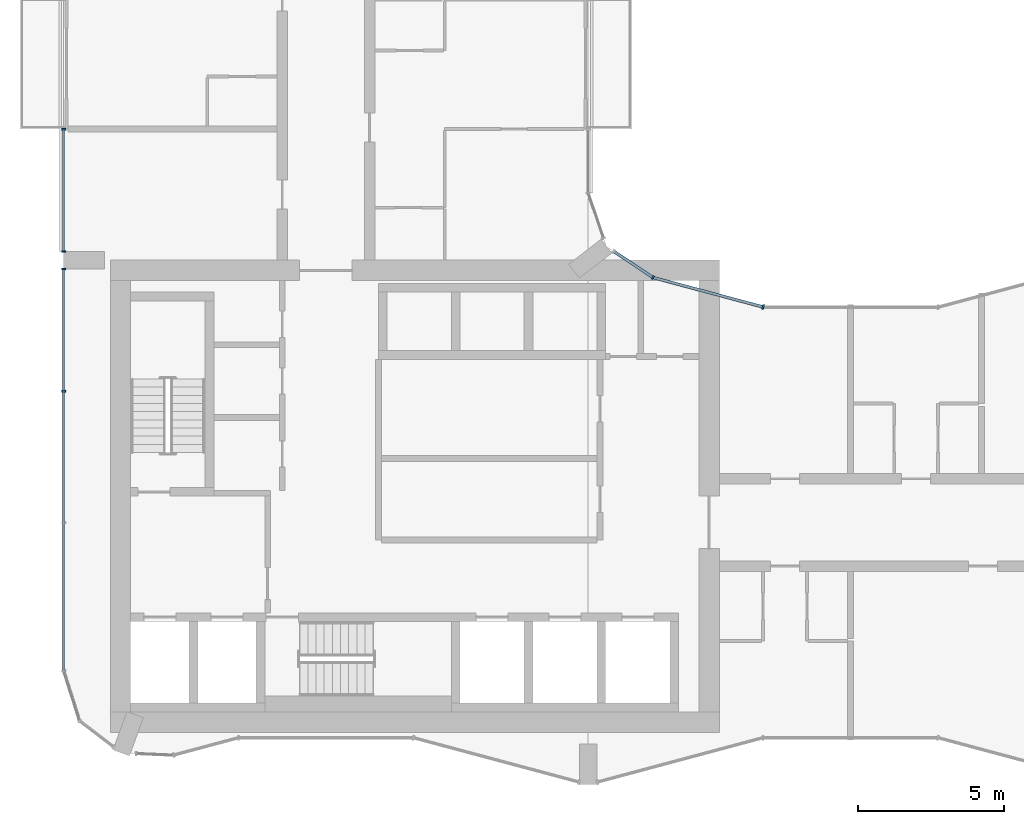
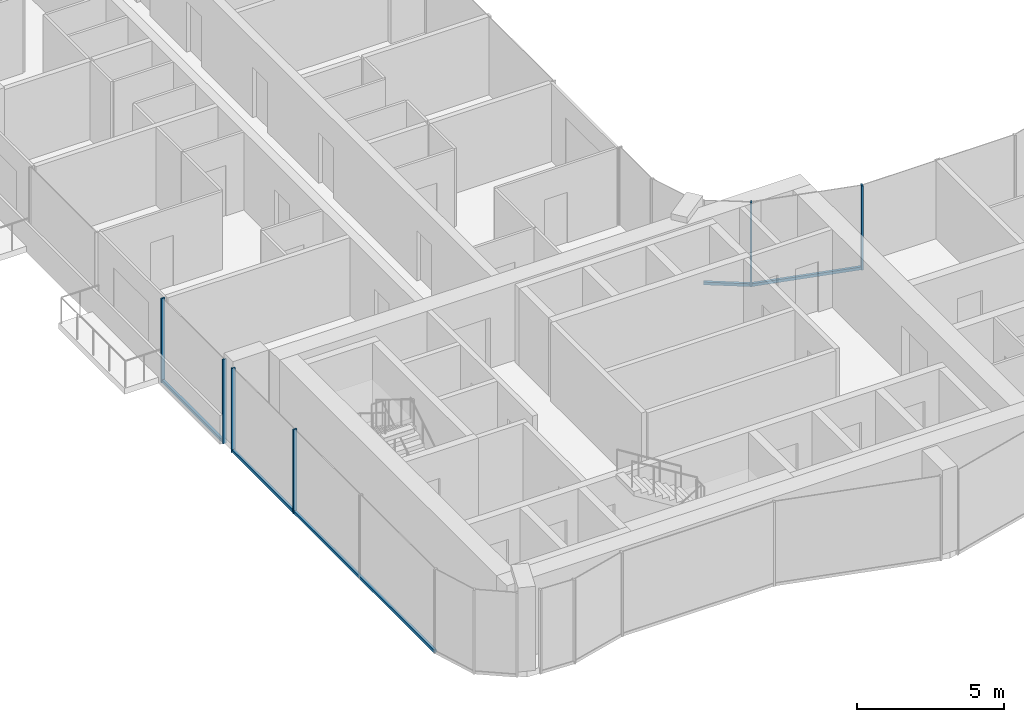
# One storey, part 3 of 22: 10 members, 4 elements without a shape of their own.
"""IFC4 building model written with IfcOpenShell, lengths in metres."""

from ifc_helpers import new_model, si_unit, direction, frame, origin, origin_2d, place, context, subcontext, project, spatial, rectangle, extrude, material, layer, layer_set, material_profile, profile_set, type_object, element, aggregate, save


model = new_model("IFC4")

# Units and contexts
model_context = context("Model", 3, precision=1e-05, world=origin(), true_north=direction((0.0, 1.0)))
body_context = subcontext(model_context, "Body", "Model", "MODEL_VIEW")
ifc_project = project(units=[si_unit("LENGTHUNIT", "METRE"), si_unit("AREAUNIT", "SQUARE_METRE"), si_unit("VOLUMEUNIT", "CUBIC_METRE"), si_unit("PLANEANGLEUNIT", "RADIAN"), si_unit("MASSUNIT", "GRAM", prefix="KILO")], contexts=[model_context])

# Site, building, storey
site_placement = place(None, origin())
site = spatial("IfcSite", under=ifc_project, at=site_placement, CompositionType="ELEMENT")
building_placement = place(site_placement, origin())
building = spatial("IfcBuilding", under=site, at=building_placement, Name="Plateau Cross Towers", CompositionType="ELEMENT")
storey_placement = place(building_placement, frame((0.0, 0.0, 61.800048828125)))
storey = spatial("IfcBuildingStorey", under=building, at=storey_placement, Name="L15", CompositionType="ELEMENT", Elevation=61.800048828125)

# Curtain wall, member
ifc_material_1 = material(Name="Dark low-iron glass", Category="glass")
ifc_layer_1 = layer(ifc_material_1, 0.239990234375)
ifc_layer_set_1 = layer_set([ifc_layer_1], Name="Dark low-iron glass")
curtain_wall_type_1 = type_object("IfcCurtainWallType", Name="Curtain wall flush unitised CW-B", PredefinedType="NOTDEFINED", material=ifc_layer_set_1)
curtain_wall_1_placement = place(storey_placement, origin())
curtain_wall_1 = element("IfcCurtainWall", 1, at=curtain_wall_1_placement, inside=storey, type_object=curtain_wall_type_1, Name="ENV/A/L15/A202_174", PredefinedType="NOTDEFINED")
ifc_material_2 = material(Name="Black anodised aluminium", Category="aluminium")
ifc_material_profile_1 = material_profile(ifc_material_2, rectangle(XDim=0.06005859375, YDim=0.139892578125, at=origin_2d()), Name="MULLION 60x140")
ifc_profile_set_1 = profile_set([ifc_material_profile_1], Name="Black anodised aluminium")
member_type_1 = type_object("IfcMemberType", Name="Mullion 60x140 flush unitised", PredefinedType="MULLION", material=ifc_profile_set_1)
member_1_placement = place(storey_placement, frame((20.223876953125, 17.404296875, -0.25), z_axis=(0.0, 0.0, 1.0), x_axis=(-0.831521253329, 0.555492938984, 0.0)))
member_1 = element("IfcMember", 2, at=member_1_placement, type_object=member_type_1, Name="CW-B mullion 1", PredefinedType="MULLION", context=body_context, shape_type="SweptSolid", body=[
    extrude(rectangle(XDim=0.06005859375, YDim=0.139892578125, at=origin_2d()), origin(), (0.0, 0.0, 1.0), 3.5),
])

# Curtain wall, members
curtain_wall_2_placement = place(storey_placement, origin())
curtain_wall_2 = element("IfcCurtainWall", 3, at=curtain_wall_2_placement, inside=storey, type_object=curtain_wall_type_1, Name="ENV/A/L15/A0_225", PredefinedType="NOTDEFINED")
member_2_placement = place(storey_placement, frame((0.0, 22.489990234375, -0.25), z_axis=(0.0, 0.0, 1.0), x_axis=(0.0, -1.0, 0.0)))
member_2 = element("IfcMember", 4, at=member_2_placement, type_object=member_type_1, Name="CW-B mullion 1", PredefinedType="MULLION", context=body_context, shape_type="SweptSolid", body=[
    extrude(rectangle(XDim=0.06005859375, YDim=0.139892578125, at=origin_2d()), origin(), (0.0, 0.0, 1.0), 3.5),
])
member_3_placement = place(storey_placement, frame((0.0, 18.300048828125, -0.25), z_axis=(0.0, 0.0, 1.0), x_axis=(0.0, -1.0, 0.0)))
member_3 = element("IfcMember", 5, at=member_3_placement, type_object=member_type_1, Name="CW-B mullion 2", PredefinedType="MULLION", context=body_context, shape_type="SweptSolid", body=[
    extrude(rectangle(XDim=0.06005859375, YDim=0.139892578125, at=origin_2d()), origin(), (0.0, 0.0, 1.0), 3.5),
])

curtain_wall_3_placement = place(storey_placement, origin())
curtain_wall_3 = element("IfcCurtainWall", 6, at=curtain_wall_3_placement, inside=storey, type_object=curtain_wall_type_1, Name="ENV/A/L15/A0_177", PredefinedType="NOTDEFINED")
member_4_placement = place(storey_placement, frame((0.0, 17.699951171875, -0.25), z_axis=(0.0, 0.0, 1.0), x_axis=(0.0, -1.0, 0.0)))
member_4 = element("IfcMember", 7, at=member_4_placement, type_object=member_type_1, Name="CW-B mullion 1", PredefinedType="MULLION", context=body_context, shape_type="SweptSolid", body=[
    extrude(rectangle(XDim=0.06005859375, YDim=0.139892578125, at=origin_2d()), origin(), (0.0, 0.0, 1.0), 3.5),
])
member_5_placement = place(storey_placement, frame((0.0, 13.5, -0.25), z_axis=(0.0, 0.0, 1.0), x_axis=(0.0, -1.0, 0.0)))
member_5 = element("IfcMember", 8, at=member_5_placement, type_object=member_type_1, Name="CW-B mullion 2", PredefinedType="MULLION", context=body_context, shape_type="SweptSolid", body=[
    extrude(rectangle(XDim=0.06005859375, YDim=0.139892578125, at=origin_2d()), origin(), (0.0, 0.0, 1.0), 3.5),
])

# Curtain wall, member
ifc_layer_2 = layer(ifc_material_1, 0.260009765625)
ifc_layer_set_2 = layer_set([ifc_layer_2], Name="Dark low-iron glass")
curtain_wall_type_2 = type_object("IfcCurtainWallType", Name="Curtain wall fluted unitised CW-A", PredefinedType="NOTDEFINED", material=ifc_layer_set_2)
curtain_wall_4_placement = place(storey_placement, origin())
curtain_wall_4 = element("IfcCurtainWall", 9, at=curtain_wall_4_placement, inside=storey, type_object=curtain_wall_type_2, Name="ENV/A/L15/A240_164", PredefinedType="NOTDEFINED")
ifc_material_profile_2 = material_profile(ifc_material_2, rectangle(XDim=0.06005859375, YDim=0.159912109375, at=origin_2d()), Name="MULLION 60x160")
ifc_profile_set_2 = profile_set([ifc_material_profile_2], Name="Black anodised aluminium")
member_type_2 = type_object("IfcMemberType", Name="Mullion 60x160 fluted unitised", PredefinedType="MULLION", material=ifc_profile_set_2)
member_6_placement = place(storey_placement, frame((24.0, 16.39306640625, -0.25), z_axis=(0.0, 0.0, 1.0), x_axis=(-0.965957995816, 0.258698956933, 0.0)))
member_6 = element("IfcMember", 10, at=member_6_placement, type_object=member_type_2, Name="CW-A mullion 1", PredefinedType="MULLION", context=body_context, shape_type="SweptSolid", body=[
    extrude(rectangle(XDim=0.06005859375, YDim=0.159912109375, at=origin_2d()), origin(), (0.0, 0.0, 1.0), 3.5),
])

# Member
ifc_material_profile_3 = material_profile(ifc_material_2, rectangle(XDim=0.10009765625, YDim=0.1201171875, at=origin_2d()), Name="TRANSOM 100x120")
ifc_profile_set_3 = profile_set([ifc_material_profile_3], Name="Black anodised aluminium")
member_type_3 = type_object("IfcMemberType", Name="Transom 100x120 flush unitised", PredefinedType="USERDEFINED", material=ifc_profile_set_3)
member_7_placement = place(storey_placement, frame((20.223876953125, 17.404296875, -0.18994140625), z_axis=(-0.831496402487, 0.555530136582, 0.0), x_axis=(-0.555530136582, -0.831496402487, 0.0)))
member_7 = element("IfcMember", 11, at=member_7_placement, type_object=member_type_3, Name="CW-B transom", ObjectType="TRANSOM", PredefinedType="USERDEFINED", context=body_context, shape_type="SweptSolid", body=[
    extrude(rectangle(XDim=0.10009765625, YDim=0.1201171875, at=origin_2d()), origin(), (0.0, 0.0, 1.0), 1.628662109375),
])

aggregate(curtain_wall_1, [member_1, member_7])

member_8_placement = place(storey_placement, frame((0.0, 22.489990234375, -0.18994140625), z_axis=(0.0, -1.0, 0.0), x_axis=(1.0, 0.0, 0.0)))
member_8 = element("IfcMember", 12, at=member_8_placement, type_object=member_type_3, Name="CW-B transom", ObjectType="TRANSOM", PredefinedType="USERDEFINED", context=body_context, shape_type="SweptSolid", body=[
    extrude(rectangle(XDim=0.10009765625, YDim=0.1201171875, at=origin_2d()), origin(), (0.0, 0.0, 1.0), 4.18994140625),
])

aggregate(curtain_wall_2, [member_2, member_3, member_8])

member_9_placement = place(storey_placement, frame((0.0, 17.699951171875, -0.18994140625), z_axis=(0.0, -1.0, 0.0), x_axis=(1.0, 0.0, 0.0)))
member_9 = element("IfcMember", 13, at=member_9_placement, type_object=member_type_3, Name="CW-B transom", ObjectType="TRANSOM", PredefinedType="USERDEFINED", context=body_context, shape_type="SweptSolid", body=[
    extrude(rectangle(XDim=0.10009765625, YDim=0.1201171875, at=origin_2d()), origin(), (0.0, 0.0, 1.0), 13.790771484375),
])

aggregate(curtain_wall_3, [member_4, member_5, member_9])

ifc_material_profile_4 = material_profile(ifc_material_2, rectangle(XDim=0.10009765625, YDim=0.1201171875, at=origin_2d()), Name="TRANSOM 100x120")
ifc_profile_set_4 = profile_set([ifc_material_profile_4], Name="Black anodised aluminium")
member_type_4 = type_object("IfcMemberType", Name="Transom 100x120 fluted unitised", PredefinedType="USERDEFINED", material=ifc_profile_set_4)
member_10_placement = place(storey_placement, frame((24.0, 16.39306640625, -0.18994140625), z_axis=(-0.965962822393, 0.25868093427, 0.0), x_axis=(-0.25868093427, -0.965962822393, 0.0)))
member_10 = element("IfcMember", 14, at=member_10_placement, type_object=member_type_4, Name="CW-A transom", ObjectType="TRANSOM", PredefinedType="USERDEFINED", context=body_context, shape_type="SweptSolid", body=[
    extrude(rectangle(XDim=0.10009765625, YDim=0.1201171875, at=origin_2d()), origin(), (0.0, 0.0, 1.0), 3.9091796875),
])

aggregate(curtain_wall_4, [member_6, member_10])

save(model, "model.ifc")
